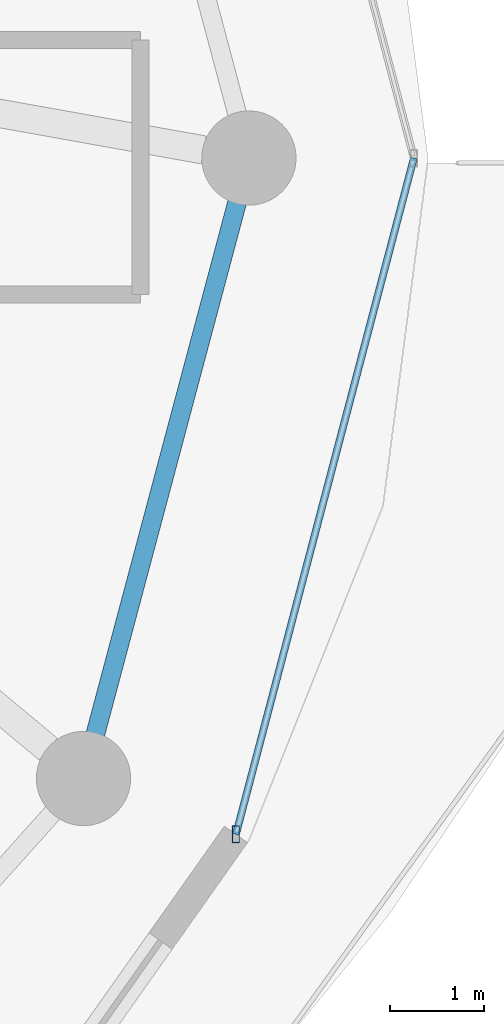
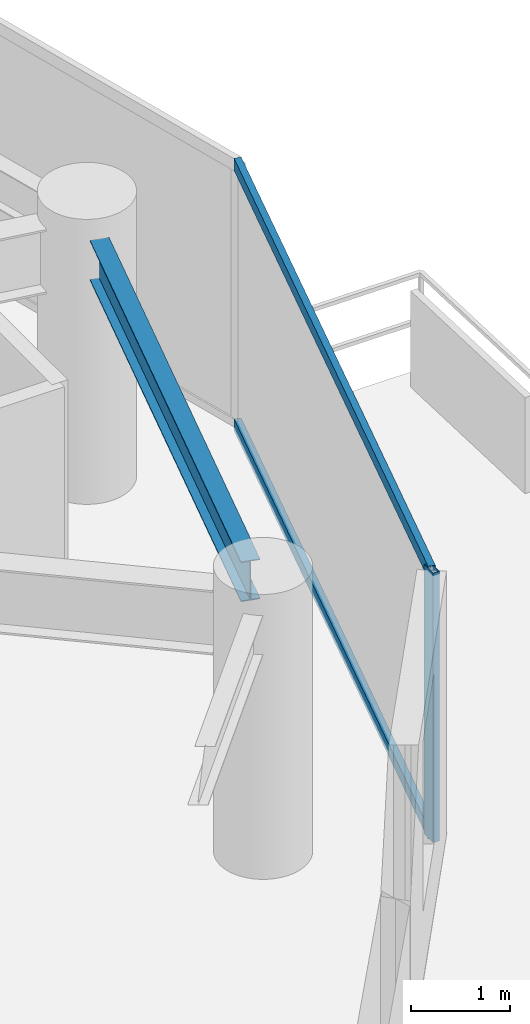
# One storey, part 13 of 30: 3 members, 1 beam, 1 element without a shape of its own.
"""IFC4 building model written with IfcOpenShell, lengths in metres."""

from ifc_helpers import new_model, si_unit, direction, frame, origin, origin_2d, place, context, subcontext, project, spatial, hollow_rectangle, i_section, extrude, material, material_profile, profile_set, type_object, element, aggregate, save


model = new_model("IFC4")

# Units and contexts
model_context = context("Model", 3, precision=1e-05, world=origin(), true_north=direction((0.0, 1.0)))
body_context = subcontext(model_context, "Body", "Model", "MODEL_VIEW")
ifc_project = project(units=[si_unit("LENGTHUNIT", "METRE"), si_unit("AREAUNIT", "SQUARE_METRE"), si_unit("VOLUMEUNIT", "CUBIC_METRE"), si_unit("PLANEANGLEUNIT", "RADIAN"), si_unit("MASSUNIT", "GRAM", prefix="KILO")], contexts=[model_context])

# Site, building, storey
site_placement = place(None, origin())
site = spatial("IfcSite", under=ifc_project, at=site_placement, CompositionType="ELEMENT")
building_placement = place(site_placement, origin())
building = spatial("IfcBuilding", under=site, at=building_placement, Name="Vorneva Point Tower", CompositionType="ELEMENT")
storey_placement = place(building_placement, frame((0.0, 0.0, 157.10009765625)))
storey = spatial("IfcBuildingStorey", under=building, at=storey_placement, Name="L42", CompositionType="ELEMENT", Elevation=157.10009765625)

# Beam
ifc_material_1 = material(Name="Steel S355", Category="steel")
ifc_material_profile_1 = material_profile(ifc_material_1, i_section(OverallWidth=0.199951171875, OverallDepth=0.491943359375, WebThickness=0.0087890625, FlangeThickness=0.011962890625, at=origin_2d()), Name="50B1")
ifc_profile_set_1 = profile_set([ifc_material_profile_1], Name="Steel S355")
beam_type = type_object("IfcBeamType", Name="BM-SPN-50B1", PredefinedType="SPANDREL", material=ifc_profile_set_1)
beam_placement = place(storey_placement, frame((59.42041015625, 19.886474609375, 2.993896484375), z_axis=(0.257550804648, 0.966264758245, 0.0), x_axis=(-0.966264758245, 0.257550804648, 0.0)))
element("IfcBeam", 1, at=beam_placement, inside=storey, type_object=beam_type, Name="L42 Perimeter Spandrel Ring Beam 16", PredefinedType="SPANDREL", context=body_context, shape_type="SweptSolid", body=[
    extrude(i_section(OverallWidth=0.199951171875, OverallDepth=0.491943359375, WebThickness=0.0087890625, FlangeThickness=0.011962890625, at=origin_2d()), origin(), (0.0, 0.0, 1.0), 5.842041015625),
])

# Curtain wall, members
ifc_material_2 = material(Name="Pale anodised aluminium", Category="aluminium")
curtain_wall_type = type_object("IfcCurtainWallType", Name="CW-RES-SYS", PredefinedType="NOTDEFINED", material=ifc_material_2)
curtain_wall_placement = place(storey_placement, origin())
curtain_wall = element("IfcCurtainWall", 2, at=curtain_wall_placement, inside=storey, type_object=curtain_wall_type, Name="L42 Unitised Curtain Wall CW-L42-R01", PredefinedType="NOTDEFINED")
ifc_material_profile_2 = material_profile(ifc_material_2, hollow_rectangle(XDim=0.074951171875, YDim=0.179931640625, WallThickness=0.00390625, at=origin_2d()), Name="AL-MUL 180x75x4")
ifc_profile_set_2 = profile_set([ifc_material_profile_2], Name="Pale anodised aluminium")
member_type_1 = type_object("IfcMemberType", Name="CW-MUL-180", PredefinedType="MULLION", material=ifc_profile_set_2)
member_1_placement = place(storey_placement, frame((60.912109375, 18.82470703125, -0.0400390625), z_axis=(0.0, 0.0, 1.0), x_axis=(1.0, 0.0, 0.0)))
member_1 = element("IfcMember", 3, at=member_1_placement, type_object=member_type_1, Name="CW-L42-R01 Mullion 01", PredefinedType="MULLION", context=body_context, shape_type="SweptSolid", body=[
    extrude(hollow_rectangle(XDim=0.074951171875, YDim=0.179931640625, WallThickness=0.00390625, at=origin_2d()), origin(), (0.0, 0.0, 1.0), 3.31005859375),
])
ifc_material_profile_3 = material_profile(ifc_material_2, hollow_rectangle(XDim=0.074951171875, YDim=0.14990234375, WallThickness=0.00390625, at=origin_2d()), Name="AL-TRN 150x75x4")
ifc_profile_set_3 = profile_set([ifc_material_profile_3], Name="Pale anodised aluminium")
member_type_2 = type_object("IfcMemberType", Name="CW-TRN-150", PredefinedType="USERDEFINED", material=ifc_profile_set_3)
member_2_placement = place(storey_placement, frame((60.912109375, 18.82470703125, 0.02001953125), z_axis=(0.254456046293, 0.967084339913, 0.0), x_axis=(-0.967084339913, 0.254456046293, 0.0)))
member_2 = element("IfcMember", 4, at=member_2_placement, type_object=member_type_2, Name="CW-L42-R01 Transom 01.1", ObjectType="TRANSOM", PredefinedType="USERDEFINED", context=body_context, shape_type="SweptSolid", body=[
    extrude(hollow_rectangle(XDim=0.074951171875, YDim=0.14990234375, WallThickness=0.00390625, at=origin_2d()), origin(), (0.0, 0.0, 1.0), 7.41943359375),
])
member_3_placement = place(storey_placement, frame((60.912109375, 18.82470703125, 3.219970703125), z_axis=(0.254456046293, 0.967084339913, 0.0), x_axis=(-0.967084339913, 0.254456046293, 0.0)))
member_3 = element("IfcMember", 5, at=member_3_placement, type_object=member_type_2, Name="CW-L42-R01 Transom 01.2", ObjectType="TRANSOM", PredefinedType="USERDEFINED", context=body_context, shape_type="SweptSolid", body=[
    extrude(hollow_rectangle(XDim=0.074951171875, YDim=0.14990234375, WallThickness=0.00390625, at=origin_2d()), origin(), (0.0, 0.0, 1.0), 7.41943359375),
])
aggregate(curtain_wall, [member_1, member_2, member_3])

save(model, "model.ifc")
